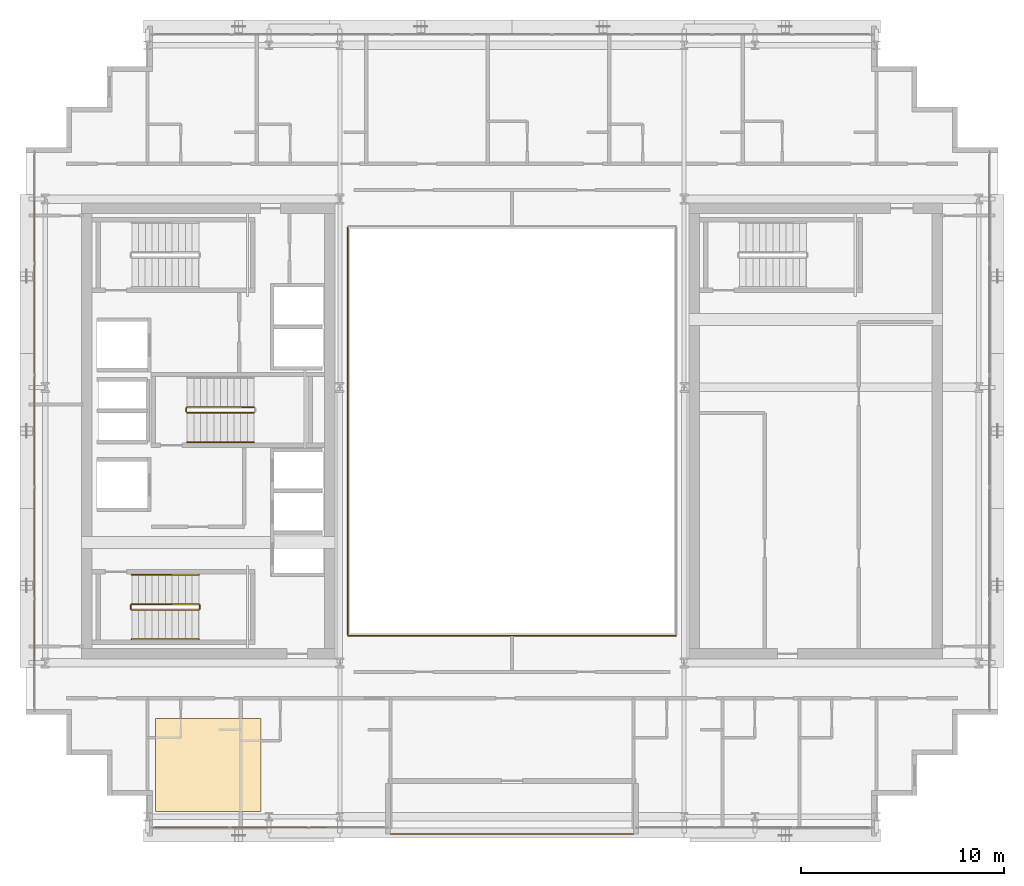
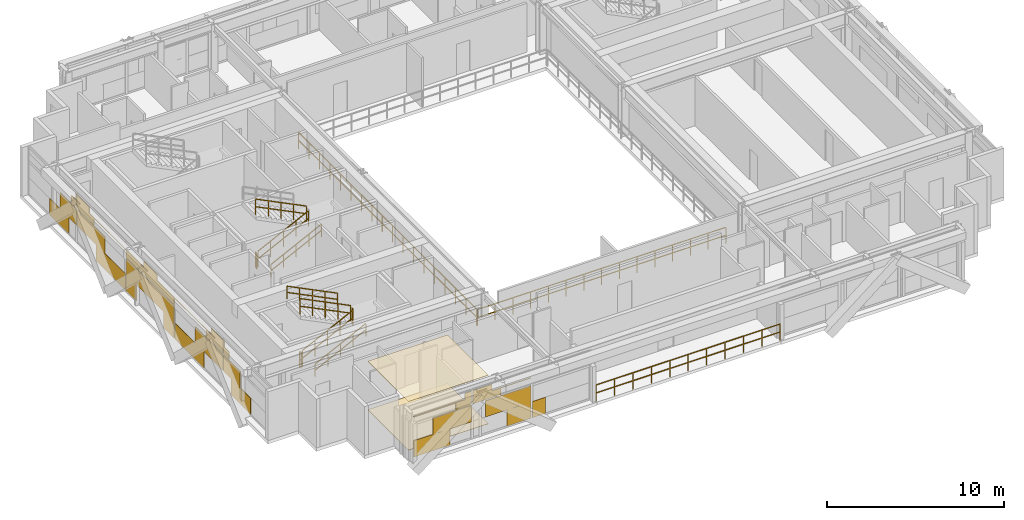
# One storey, part 28 of 31: 13 railings, 4 coverings.
"""IFC4 building model written with IfcOpenShell, lengths in metres."""

from ifc_helpers import new_model, si_unit, direction, frame, origin, origin_2d, place, context, subcontext, project, spatial, polyline, rectangle, outline, extrude, material, layer, layer_set, type_object, element, save


model = new_model("IFC4")

# Units and contexts
model_context = context("Model", 3, precision=1e-05, world=origin(), true_north=direction((0.0, 1.0)))
body_context = subcontext(model_context, "Body", "Model", "MODEL_VIEW")
ifc_project = project(units=[si_unit("LENGTHUNIT", "METRE"), si_unit("AREAUNIT", "SQUARE_METRE"), si_unit("VOLUMEUNIT", "CUBIC_METRE"), si_unit("PLANEANGLEUNIT", "RADIAN"), si_unit("MASSUNIT", "GRAM", prefix="KILO")], contexts=[model_context])

# Site, building, storey
site_placement = place(None, origin())
site = spatial("IfcSite", under=ifc_project, at=site_placement, CompositionType="ELEMENT")
building_placement = place(site_placement, origin())
building = spatial("IfcBuilding", under=site, at=building_placement, Name="Ocotamira Hotel", CompositionType="ELEMENT")
storey_placement = place(building_placement, frame((0.0, 0.0, 202.800048828125)))
storey = spatial("IfcBuildingStorey", under=building, at=storey_placement, Name="L51", CompositionType="ELEMENT", Elevation=202.800048828125)

# Coverings
ifc_material_1 = material(Name="Perforated acoustic gypsum ceiling board", Category="gypsum")
ifc_layer_1 = layer(ifc_material_1, 0.02490234375)
ifc_layer_set_1 = layer_set([ifc_layer_1], Name="Perforated acoustic gypsum ceiling board")
covering_type_1 = type_object("IfcCoveringType", Name="COV-CEIL-25", PredefinedType="CEILING", material=ifc_layer_set_1)
covering_1_placement = place(storey_placement, frame((0.0, 0.0, 3.344970703125)))
element("IfcCovering", 1, at=covering_1_placement, inside=storey, type_object=covering_type_1, Name="L51 Acoustic Ceiling", PredefinedType="CEILING", context=body_context, shape_type="SweptSolid", body=[
    extrude(outline(polyline([(14.39990234375, 7.199951171875), (19.60009765625, 7.199951171875), (19.60009765625, 11.800048828125), (14.39990234375, 11.800048828125), (14.39990234375, 7.199951171875)])), origin(), (0.0, 0.0, 1.0), 0.02490234375),
])
ifc_material_2 = material(Name="Honed desert travertine stone flooring", Category="masonry")
ifc_layer_2 = layer(ifc_material_2, 0.030029296875)
ifc_layer_set_2 = layer_set([ifc_layer_2], Name="Honed desert travertine stone flooring")
covering_type_2 = type_object("IfcCoveringType", Name="COV-FLOR-30", PredefinedType="FLOORING", material=ifc_layer_set_2)
covering_2_placement = place(storey_placement, origin())
element("IfcCovering", 2, at=covering_2_placement, inside=storey, type_object=covering_type_2, Name="L51 Honed Stone Floor Finish", PredefinedType="FLOORING", context=body_context, shape_type="SweptSolid", body=[
    extrude(outline(polyline([(14.39990234375, 7.199951171875), (19.60009765625, 7.199951171875), (19.60009765625, 11.800048828125), (14.39990234375, 11.800048828125), (14.39990234375, 7.199951171875)])), origin(), (0.0, 0.0, 1.0), 0.030029296875),
])
ifc_material_3 = material(Name="Insulated pale-metal aluminium spandrel panel", Category="aluminium")
ifc_layer_3 = layer(ifc_material_3, 0.044921875)
ifc_layer_set_3 = layer_set([ifc_layer_3], Name="Insulated pale-metal aluminium spandrel panel")
covering_type_3 = type_object("IfcCoveringType", Name="COV-INFILL-45", PredefinedType="CLADDING", material=ifc_layer_set_3)
covering_3_placement = place(storey_placement, origin())
element("IfcCovering", 3, at=covering_3_placement, inside=storey, type_object=covering_type_3, Name="L51 Curtain Wall Infill CW-4 CW-L51-S1", PredefinedType="CLADDING", context=body_context, shape_type="SweptSolid", body=[
    extrude(rectangle(XDim=2.37158203125, YDim=0.044921875, at=origin_2d()), frame((15.46630859375, 6.419921875, 0.0751953125), z_axis=(0.0, 0.0, 1.0), x_axis=(1.0, 0.0, 0.0)), (0.0, 0.0, 1.0), 1.117919921875),
    extrude(rectangle(XDim=2.510498046875, YDim=0.044921875, at=origin_2d()), frame((16.78759765625, 6.419921875, 1.19384765625), z_axis=(0.0, 0.0, 1.0), x_axis=(1.0, 0.0, 0.0)), (0.0, 0.0, 1.0), 1.117919921875),
    extrude(rectangle(XDim=3.76220703125, YDim=0.044921875, at=origin_2d()), frame((16.16162109375, 6.419921875, 2.83154296875), z_axis=(0.0, 0.0, 1.0), x_axis=(1.0, 0.0, 0.0)), (0.0, 0.0, 1.0), 0.0302734375),
    extrude(rectangle(XDim=1.018310546875, YDim=0.044921875, at=origin_2d()), frame((17.53369140625, 6.419921875, 2.3876953125), z_axis=(0.0, 0.0, 1.0), x_axis=(1.0, 0.0, 0.0)), (0.0, 0.0, 1.0), 0.442626953125),
    extrude(rectangle(XDim=0.4248046875, YDim=0.044921875, at=origin_2d()), frame((17.83056640625, 6.419921875, 2.86279296875), z_axis=(0.0, 0.0, 1.0), x_axis=(1.0, 0.0, 0.0)), (0.0, 0.0, 1.0), 0.431640625),
    extrude(rectangle(XDim=2.9765625, YDim=0.044921875, at=origin_2d()), frame((20.43798828125, 6.419921875, 1.19384765625), z_axis=(0.0, 0.0, 1.0), x_axis=(1.0, 0.0, 0.0)), (0.0, 0.0, 1.0), 1.117919921875),
    extrude(rectangle(XDim=1.578125, YDim=0.044921875, at=origin_2d()), frame((21.13720703125, 6.419921875, 0.0751953125), z_axis=(0.0, 0.0, 1.0), x_axis=(1.0, 0.0, 0.0)), (0.0, 0.0, 1.0), 1.117919921875),
    extrude(rectangle(XDim=1.8515625, YDim=0.044921875, at=origin_2d()), frame((19.049560546875, 6.419921875, 2.3876953125), z_axis=(0.0, 0.0, 1.0), x_axis=(1.0, 0.0, 0.0)), (0.0, 0.0, 1.0), 0.442626953125),
    extrude(rectangle(XDim=3.80224609375, YDim=0.044921875, at=origin_2d()), frame((20.02490234375, 6.419921875, 2.83154296875), z_axis=(0.0, 0.0, 1.0), x_axis=(1.0, 0.0, 0.0)), (0.0, 0.0, 1.0), 0.0302734375),
    extrude(rectangle(XDim=1.258056640625, YDim=0.044921875, at=origin_2d()), frame((18.7529296875, 6.419921875, 2.86279296875), z_axis=(0.0, 0.0, 1.0), x_axis=(1.0, 0.0, 0.0)), (0.0, 0.0, 1.0), 0.431640625),
    extrude(rectangle(XDim=0.85888671875, YDim=0.044921875, at=origin_2d()), frame((22.4365234375, 6.419921875, 0.0751953125), z_axis=(0.0, 0.0, 1.0), x_axis=(1.0, 0.0, 0.0)), (0.0, 0.0, 1.0), 1.117919921875),
])
covering_4_placement = place(storey_placement, origin())
element("IfcCovering", 4, at=covering_4_placement, inside=storey, type_object=covering_type_3, Name="L51 Curtain Wall Infill CW-4 CW-L51-W", PredefinedType="CLADDING", context=body_context, shape_type="SweptSolid", body=[
    extrude(rectangle(XDim=2.205078125, YDim=0.044921875, at=origin_2d()), frame((8.419921875, 15.7314453125, 0.0751953125), z_axis=(0.0, 0.0, 1.0), x_axis=(0.0, 1.0, 0.0)), (0.0, 0.0, 1.0), 1.117919921875),
    extrude(rectangle(XDim=1.864501953125, YDim=0.044921875, at=origin_2d()), frame((8.419921875, 16.747314453125, 1.19384765625), z_axis=(0.0, 0.0, 1.0), x_axis=(0.0, 1.0, 0.0)), (0.0, 0.0, 1.0), 1.117919921875),
    extrude(rectangle(XDim=0.59912109375, YDim=0.044921875, at=origin_2d()), frame((8.419921875, 17.3798828125, 2.38818359375), z_axis=(0.0, 0.0, 1.0), x_axis=(0.0, 1.0, 0.0)), (0.0, 0.0, 1.0), 0.493896484375),
    extrude(rectangle(XDim=0.07421875, YDim=0.044921875, at=origin_2d()), frame((8.419921875, 17.642333984375, 2.883056640625), z_axis=(0.0, 0.0, 1.0), x_axis=(0.0, 1.0, 0.0)), (0.0, 0.0, 1.0), 0.41162109375),
    extrude(rectangle(XDim=3.157958984375, YDim=0.044921875, at=origin_2d()), frame((8.419921875, 19.33935546875, 1.19384765625), z_axis=(0.0, 0.0, 1.0), x_axis=(0.0, 1.0, 0.0)), (0.0, 0.0, 1.0), 1.117919921875),
    extrude(rectangle(XDim=3.30029296875, YDim=0.044921875, at=origin_2d()), frame((8.419921875, 21.54931640625, 0.0751953125), z_axis=(0.0, 0.0, 1.0), x_axis=(0.0, 1.0, 0.0)), (0.0, 0.0, 1.0), 1.117919921875),
    extrude(rectangle(XDim=1.892333984375, YDim=0.044921875, at=origin_2d()), frame((8.419921875, 18.70654296875, 2.38818359375), z_axis=(0.0, 0.0, 1.0), x_axis=(0.0, 1.0, 0.0)), (0.0, 0.0, 1.0), 0.459716796875),
    extrude(rectangle(XDim=5.43896484375, YDim=0.044921875, at=origin_2d()), frame((8.419921875, 20.47998046875, 2.8486328125), z_axis=(0.0, 0.0, 1.0), x_axis=(0.0, 1.0, 0.0)), (0.0, 0.0, 1.0), 0.033203125),
    extrude(rectangle(XDim=1.367431640625, YDim=0.044921875, at=origin_2d()), frame((8.419921875, 18.444091796875, 2.883056640625), z_axis=(0.0, 0.0, 1.0), x_axis=(0.0, 1.0, 0.0)), (0.0, 0.0, 1.0), 0.41162109375),
    extrude(rectangle(XDim=1.18701171875, YDim=0.044921875, at=origin_2d()), frame((8.419921875, 23.873779296875, 0.0751953125), z_axis=(0.0, 0.0, 1.0), x_axis=(0.0, 1.0, 0.0)), (0.0, 0.0, 1.0), 1.117919921875),
    extrude(rectangle(XDim=5.43896484375, YDim=0.044921875, at=origin_2d()), frame((8.419921875, 26.0, 1.19384765625), z_axis=(0.0, 0.0, 1.0), x_axis=(0.0, 1.0, 0.0)), (0.0, 0.0, 1.0), 1.117919921875),
    extrude(rectangle(XDim=1.18701171875, YDim=0.044921875, at=origin_2d()), frame((8.419921875, 28.126220703125, 0.0751953125), z_axis=(0.0, 0.0, 1.0), x_axis=(0.0, 1.0, 0.0)), (0.0, 0.0, 1.0), 1.117919921875),
    extrude(rectangle(XDim=5.43896484375, YDim=0.044921875, at=origin_2d()), frame((8.419921875, 26.0, 2.38818359375), z_axis=(0.0, 0.0, 1.0), x_axis=(0.0, 1.0, 0.0)), (0.0, 0.0, 1.0), 0.493896484375),
    extrude(rectangle(XDim=1.522705078125, YDim=0.044921875, at=origin_2d()), frame((8.419921875, 26.0, 2.883056640625), z_axis=(0.0, 0.0, 1.0), x_axis=(0.0, 1.0, 0.0)), (0.0, 0.0, 1.0), 0.41162109375),
    extrude(rectangle(XDim=3.30029296875, YDim=0.044921875, at=origin_2d()), frame((8.419921875, 30.45068359375, 0.0751953125), z_axis=(0.0, 0.0, 1.0), x_axis=(0.0, 1.0, 0.0)), (0.0, 0.0, 1.0), 1.117919921875),
    extrude(rectangle(XDim=3.157958984375, YDim=0.044921875, at=origin_2d()), frame((8.419921875, 32.66064453125, 1.19384765625), z_axis=(0.0, 0.0, 1.0), x_axis=(0.0, 1.0, 0.0)), (0.0, 0.0, 1.0), 1.117919921875),
    extrude(rectangle(XDim=5.43896484375, YDim=0.044921875, at=origin_2d()), frame((8.419921875, 31.52001953125, 2.8486328125), z_axis=(0.0, 0.0, 1.0), x_axis=(0.0, 1.0, 0.0)), (0.0, 0.0, 1.0), 0.033203125),
    extrude(rectangle(XDim=1.892333984375, YDim=0.044921875, at=origin_2d()), frame((8.419921875, 33.29345703125, 2.38818359375), z_axis=(0.0, 0.0, 1.0), x_axis=(0.0, 1.0, 0.0)), (0.0, 0.0, 1.0), 0.459716796875),
    extrude(rectangle(XDim=1.367431640625, YDim=0.044921875, at=origin_2d()), frame((8.419921875, 33.555908203125, 2.883056640625), z_axis=(0.0, 0.0, 1.0), x_axis=(0.0, 1.0, 0.0)), (0.0, 0.0, 1.0), 0.41162109375),
    extrude(rectangle(XDim=1.864501953125, YDim=0.044921875, at=origin_2d()), frame((8.419921875, 35.252685546875, 1.19384765625), z_axis=(0.0, 0.0, 1.0), x_axis=(0.0, 1.0, 0.0)), (0.0, 0.0, 1.0), 1.117919921875),
    extrude(rectangle(XDim=2.205078125, YDim=0.044921875, at=origin_2d()), frame((8.419921875, 36.2685546875, 0.0751953125), z_axis=(0.0, 0.0, 1.0), x_axis=(0.0, 1.0, 0.0)), (0.0, 0.0, 1.0), 1.117919921875),
    extrude(rectangle(XDim=0.59912109375, YDim=0.044921875, at=origin_2d()), frame((8.419921875, 34.6201171875, 2.38818359375), z_axis=(0.0, 0.0, 1.0), x_axis=(0.0, 1.0, 0.0)), (0.0, 0.0, 1.0), 0.493896484375),
    extrude(rectangle(XDim=0.07421875, YDim=0.044921875, at=origin_2d()), frame((8.419921875, 34.357666015625, 2.883056640625), z_axis=(0.0, 0.0, 1.0), x_axis=(0.0, 1.0, 0.0)), (0.0, 0.0, 1.0), 0.41162109375),
])

# Railings
ifc_material_4 = material(Name="Laminated glass and pale-metal balustrade", Category="glass")
railing_type_1 = type_object("IfcRailingType", Name="RL-BAL-1150", PredefinedType="BALUSTRADE", material=ifc_material_4)
railing_1_placement = place(storey_placement, frame((26.0, 6.10009765625, 0.0)))
element("IfcRailing", 5, at=railing_1_placement, inside=storey, type_object=railing_type_1, Name="L51 Sky Terrace Balustrade 1", PredefinedType="BALUSTRADE", context=body_context, shape_type="SweptSolid", body=[
    extrude(rectangle(XDim=0.048095703125, YDim=0.048095703125, at=origin_2d()), frame((0.0, 0.0, 1.1259765625), z_axis=(1.0, 0.0, 0.0), x_axis=(0.0, 1.0, 0.0)), (0.0, 0.0, 1.0), 12.0),
    extrude(rectangle(XDim=0.048095703125, YDim=0.048095703125, at=origin_2d()), frame((0.0, 0.0, 0.574951171875), z_axis=(1.0, 0.0, 0.0), x_axis=(0.0, 1.0, 0.0)), (0.0, 0.0, 1.0), 12.0),
    extrude(rectangle(XDim=0.0419921875, YDim=0.0419921875, at=origin_2d()), origin(), (0.0, 0.0, 1.0), 1.101806640625),
    extrude(rectangle(XDim=0.0419921875, YDim=0.0419921875, at=origin_2d()), frame((1.199951171875, 0.0, 0.0)), (0.0, 0.0, 1.0), 1.101806640625),
    extrude(rectangle(XDim=0.0419921875, YDim=0.0419921875, at=origin_2d()), frame((2.39990234375, 0.0, 0.0)), (0.0, 0.0, 1.0), 1.101806640625),
    extrude(rectangle(XDim=0.0419921875, YDim=0.0419921875, at=origin_2d()), frame((3.60009765625, 0.0, 0.0)), (0.0, 0.0, 1.0), 1.101806640625),
    extrude(rectangle(XDim=0.0419921875, YDim=0.0419921875, at=origin_2d()), frame((4.800048828125, 0.0, 0.0)), (0.0, 0.0, 1.0), 1.101806640625),
    extrude(rectangle(XDim=0.0419921875, YDim=0.0419921875, at=origin_2d()), frame((6.0, 0.0, 0.0)), (0.0, 0.0, 1.0), 1.101806640625),
    extrude(rectangle(XDim=0.0419921875, YDim=0.0419921875, at=origin_2d()), frame((7.199951171875, 0.0, 0.0)), (0.0, 0.0, 1.0), 1.101806640625),
    extrude(rectangle(XDim=0.0419921875, YDim=0.0419921875, at=origin_2d()), frame((8.39990234375, 0.0, 0.0)), (0.0, 0.0, 1.0), 1.101806640625),
    extrude(rectangle(XDim=0.0419921875, YDim=0.0419921875, at=origin_2d()), frame((9.60009765625, 0.0, 0.0)), (0.0, 0.0, 1.0), 1.101806640625),
    extrude(rectangle(XDim=0.0419921875, YDim=0.0419921875, at=origin_2d()), frame((10.800048828125, 0.0, 0.0)), (0.0, 0.0, 1.0), 1.101806640625),
    extrude(rectangle(XDim=0.0419921875, YDim=0.0419921875, at=origin_2d()), frame((12.0, 0.0, 0.0)), (0.0, 0.0, 1.0), 1.101806640625),
])
ifc_material_5 = material(Name="Painted steel stair guardrail", Category="steel")
railing_type_2 = type_object("IfcRailingType", Name="RL-EDGE-1150", PredefinedType="GUARDRAIL", material=ifc_material_5)
railing_2_placement = place(storey_placement, frame((23.89990234375, 15.8798828125, 0.0)))
element("IfcRailing", 6, at=railing_2_placement, inside=storey, type_object=railing_type_2, Name="L51 Central Atrium Edge Guardrail S", PredefinedType="GUARDRAIL", context=body_context, shape_type="SweptSolid", body=[
    extrude(rectangle(XDim=0.048095703125, YDim=0.048095703125, at=origin_2d()), frame((0.0, 0.0, 1.1259765625), z_axis=(1.0, 0.0, 0.0), x_axis=(0.0, 1.0, 0.0)), (0.0, 0.0, 1.0), 16.2001953125),
    extrude(rectangle(XDim=0.048095703125, YDim=0.048095703125, at=origin_2d()), frame((0.0, 0.0, 0.574951171875), z_axis=(1.0, 0.0, 0.0), x_axis=(0.0, 1.0, 0.0)), (0.0, 0.0, 1.0), 16.2001953125),
    extrude(rectangle(XDim=0.0419921875, YDim=0.0419921875, at=origin_2d()), origin(), (0.0, 0.0, 1.0), 1.101806640625),
    extrude(rectangle(XDim=0.0419921875, YDim=0.0419921875, at=origin_2d()), frame((1.1572265625, 0.0, 0.0)), (0.0, 0.0, 1.0), 1.101806640625),
    extrude(rectangle(XDim=0.0419921875, YDim=0.0419921875, at=origin_2d()), frame((2.314208984375, 0.0, 0.0)), (0.0, 0.0, 1.0), 1.101806640625),
    extrude(rectangle(XDim=0.0419921875, YDim=0.0419921875, at=origin_2d()), frame((3.471435546875, 0.0, 0.0)), (0.0, 0.0, 1.0), 1.101806640625),
    extrude(rectangle(XDim=0.0419921875, YDim=0.0419921875, at=origin_2d()), frame((4.628662109375, 0.0, 0.0)), (0.0, 0.0, 1.0), 1.101806640625),
    extrude(rectangle(XDim=0.0419921875, YDim=0.0419921875, at=origin_2d()), frame((5.785888671875, 0.0, 0.0)), (0.0, 0.0, 1.0), 1.101806640625),
    extrude(rectangle(XDim=0.0419921875, YDim=0.0419921875, at=origin_2d()), frame((6.94287109375, 0.0, 0.0)), (0.0, 0.0, 1.0), 1.101806640625),
    extrude(rectangle(XDim=0.0419921875, YDim=0.0419921875, at=origin_2d()), frame((8.10009765625, 0.0, 0.0)), (0.0, 0.0, 1.0), 1.101806640625),
    extrude(rectangle(XDim=0.0419921875, YDim=0.0419921875, at=origin_2d()), frame((9.25732421875, 0.0, 0.0)), (0.0, 0.0, 1.0), 1.101806640625),
    extrude(rectangle(XDim=0.0419921875, YDim=0.0419921875, at=origin_2d()), frame((10.414306640625, 0.0, 0.0)), (0.0, 0.0, 1.0), 1.101806640625),
    extrude(rectangle(XDim=0.0419921875, YDim=0.0419921875, at=origin_2d()), frame((11.571533203125, 0.0, 0.0)), (0.0, 0.0, 1.0), 1.101806640625),
    extrude(rectangle(XDim=0.0419921875, YDim=0.0419921875, at=origin_2d()), frame((12.728759765625, 0.0, 0.0)), (0.0, 0.0, 1.0), 1.101806640625),
    extrude(rectangle(XDim=0.0419921875, YDim=0.0419921875, at=origin_2d()), frame((13.885986328125, 0.0, 0.0)), (0.0, 0.0, 1.0), 1.101806640625),
    extrude(rectangle(XDim=0.0419921875, YDim=0.0419921875, at=origin_2d()), frame((15.04296875, 0.0, 0.0)), (0.0, 0.0, 1.0), 1.101806640625),
    extrude(rectangle(XDim=0.0419921875, YDim=0.0419921875, at=origin_2d()), frame((16.2001953125, 0.0, 0.0)), (0.0, 0.0, 1.0), 1.101806640625),
])
railing_3_placement = place(storey_placement, frame((23.8798828125, 36.0400390625, 0.0)))
element("IfcRailing", 7, at=railing_3_placement, inside=storey, type_object=railing_type_2, Name="L51 Central Atrium Edge Guardrail W", PredefinedType="GUARDRAIL", context=body_context, shape_type="SweptSolid", body=[
    extrude(rectangle(XDim=0.048095703125, YDim=0.048095703125, at=origin_2d()), frame((0.0, 0.0, 1.1259765625), z_axis=(0.0, -1.0, 0.0), x_axis=(1.0, 0.0, 0.0)), (0.0, 0.0, 1.0), 20.080078125),
    extrude(rectangle(XDim=0.048095703125, YDim=0.048095703125, at=origin_2d()), frame((0.0, 0.0, 0.574951171875), z_axis=(0.0, -1.0, 0.0), x_axis=(1.0, 0.0, 0.0)), (0.0, 0.0, 1.0), 20.080078125),
    extrude(rectangle(XDim=0.0419921875, YDim=0.0419921875, at=origin_2d()), origin(), (0.0, 0.0, 1.0), 1.101806640625),
    extrude(rectangle(XDim=0.0419921875, YDim=0.0419921875, at=origin_2d()), frame((0.0, -1.18115234375, 0.0)), (0.0, 0.0, 1.0), 1.101806640625),
    extrude(rectangle(XDim=0.0419921875, YDim=0.0419921875, at=origin_2d()), frame((0.0, -2.3623046875, 0.0)), (0.0, 0.0, 1.0), 1.101806640625),
    extrude(rectangle(XDim=0.0419921875, YDim=0.0419921875, at=origin_2d()), frame((0.0, -3.54345703125, 0.0)), (0.0, 0.0, 1.0), 1.101806640625),
    extrude(rectangle(XDim=0.0419921875, YDim=0.0419921875, at=origin_2d()), frame((0.0, -4.724609375, 0.0)), (0.0, 0.0, 1.0), 1.101806640625),
    extrude(rectangle(XDim=0.0419921875, YDim=0.0419921875, at=origin_2d()), frame((0.0, -5.906005859375, 0.0)), (0.0, 0.0, 1.0), 1.101806640625),
    extrude(rectangle(XDim=0.0419921875, YDim=0.0419921875, at=origin_2d()), frame((0.0, -7.087158203125, 0.0)), (0.0, 0.0, 1.0), 1.101806640625),
    extrude(rectangle(XDim=0.0419921875, YDim=0.0419921875, at=origin_2d()), frame((0.0, -8.268310546875, 0.0)), (0.0, 0.0, 1.0), 1.101806640625),
    extrude(rectangle(XDim=0.0419921875, YDim=0.0419921875, at=origin_2d()), frame((0.0, -9.449462890625, 0.0)), (0.0, 0.0, 1.0), 1.101806640625),
    extrude(rectangle(XDim=0.0419921875, YDim=0.0419921875, at=origin_2d()), frame((0.0, -10.630615234375, 0.0)), (0.0, 0.0, 1.0), 1.101806640625),
    extrude(rectangle(XDim=0.0419921875, YDim=0.0419921875, at=origin_2d()), frame((0.0, -11.811767578125, 0.0)), (0.0, 0.0, 1.0), 1.101806640625),
    extrude(rectangle(XDim=0.0419921875, YDim=0.0419921875, at=origin_2d()), frame((0.0, -12.992919921875, 0.0)), (0.0, 0.0, 1.0), 1.101806640625),
    extrude(rectangle(XDim=0.0419921875, YDim=0.0419921875, at=origin_2d()), frame((0.0, -14.174072265625, 0.0)), (0.0, 0.0, 1.0), 1.101806640625),
    extrude(rectangle(XDim=0.0419921875, YDim=0.0419921875, at=origin_2d()), frame((0.0, -15.35546875, 0.0)), (0.0, 0.0, 1.0), 1.101806640625),
    extrude(rectangle(XDim=0.0419921875, YDim=0.0419921875, at=origin_2d()), frame((0.0, -16.53662109375, 0.0)), (0.0, 0.0, 1.0), 1.101806640625),
    extrude(rectangle(XDim=0.0419921875, YDim=0.0419921875, at=origin_2d()), frame((0.0, -17.7177734375, 0.0)), (0.0, 0.0, 1.0), 1.101806640625),
    extrude(rectangle(XDim=0.0419921875, YDim=0.0419921875, at=origin_2d()), frame((0.0, -18.89892578125, 0.0)), (0.0, 0.0, 1.0), 1.101806640625),
    extrude(rectangle(XDim=0.0419921875, YDim=0.0419921875, at=origin_2d()), frame((0.0, -20.080078125, 0.0)), (0.0, 0.0, 1.0), 1.101806640625),
])
ifc_material_6 = material(Name="Brushed stainless steel handrail", Category="steel")
railing_type_3 = type_object("IfcRailingType", Name="RL-HAND-900", PredefinedType="HANDRAIL", material=ifc_material_6)
railing_4_placement = place(storey_placement, frame((13.22998046875, 15.719970703125, 0.3271484375)))
element("IfcRailing", 8, at=railing_4_placement, inside=storey, type_object=railing_type_3, Name="L51 ST-1 stair handrail 1", PredefinedType="HANDRAIL", context=body_context, shape_type="SweptSolid", body=[
    extrude(rectangle(XDim=0.048095703125, YDim=0.048095703125, at=origin_2d()), frame((0.0, 0.0, 0.8759765625), z_axis=(0.895893744519, 0.0, 0.4442683857), x_axis=(0.0, 1.0, 0.0)), (0.0, 0.0, 1.0), 3.68359375),
    extrude(rectangle(XDim=0.048095703125, YDim=0.048095703125, at=origin_2d()), frame((0.0, 0.0, 0.449951171875), z_axis=(0.895893744519, 0.0, 0.4442683857), x_axis=(0.0, 1.0, 0.0)), (0.0, 0.0, 1.0), 3.68359375),
    extrude(rectangle(XDim=0.0419921875, YDim=0.0419921875, at=origin_2d()), origin(), (0.0, 0.0, 1.0), 0.851806640625),
    extrude(rectangle(XDim=0.0419921875, YDim=0.0419921875, at=origin_2d()), frame((0.824951171875, 0.0, 0.4091796875)), (0.0, 0.0, 1.0), 0.851806640625),
    extrude(rectangle(XDim=0.0419921875, YDim=0.0419921875, at=origin_2d()), frame((1.64990234375, 0.0, 0.818359375)), (0.0, 0.0, 1.0), 0.851806640625),
    extrude(rectangle(XDim=0.0419921875, YDim=0.0419921875, at=origin_2d()), frame((2.47509765625, 0.0, 1.227294921875)), (0.0, 0.0, 1.0), 0.851806640625),
    extrude(rectangle(XDim=0.0419921875, YDim=0.0419921875, at=origin_2d()), frame((3.300048828125, 0.0, 1.636474609375)), (0.0, 0.0, 1.0), 0.851806640625),
])
railing_5_placement = place(storey_placement, frame((16.530029296875, 18.89990234375, 2.127197265625)))
element("IfcRailing", 9, at=railing_5_placement, inside=storey, type_object=railing_type_3, Name="L51 ST-1 stair handrail 2", PredefinedType="HANDRAIL", context=body_context, shape_type="SweptSolid", body=[
    extrude(rectangle(XDim=0.048095703125, YDim=0.048095703125, at=origin_2d()), frame((0.0, 0.0, 0.8759765625), z_axis=(-0.895893744519, 0.0, 0.4442683857), x_axis=(0.0, -1.0, 0.0)), (0.0, 0.0, 1.0), 3.68359375),
    extrude(rectangle(XDim=0.048095703125, YDim=0.048095703125, at=origin_2d()), frame((0.0, 0.0, 0.449951171875), z_axis=(-0.895893744519, 0.0, 0.4442683857), x_axis=(0.0, -1.0, 0.0)), (0.0, 0.0, 1.0), 3.68359375),
    extrude(rectangle(XDim=0.0419921875, YDim=0.0419921875, at=origin_2d()), origin(), (0.0, 0.0, 1.0), 0.851806640625),
    extrude(rectangle(XDim=0.0419921875, YDim=0.0419921875, at=origin_2d()), frame((-0.824951171875, 0.0, 0.4091796875)), (0.0, 0.0, 1.0), 0.851806640625),
    extrude(rectangle(XDim=0.0419921875, YDim=0.0419921875, at=origin_2d()), frame((-1.64990234375, 0.0, 0.818359375)), (0.0, 0.0, 1.0), 0.851806640625),
    extrude(rectangle(XDim=0.0419921875, YDim=0.0419921875, at=origin_2d()), frame((-2.47509765625, 0.0, 1.227294921875)), (0.0, 0.0, 1.0), 0.851806640625),
    extrude(rectangle(XDim=0.0419921875, YDim=0.0419921875, at=origin_2d()), frame((-3.300048828125, 0.0, 1.636474609375)), (0.0, 0.0, 1.0), 0.851806640625),
])
railing_6_placement = place(storey_placement, frame((15.9599609375, 25.449951171875, 0.3271484375)))
element("IfcRailing", 10, at=railing_6_placement, inside=storey, type_object=railing_type_3, Name="L51 ST-3 stair handrail 1", PredefinedType="HANDRAIL", context=body_context, shape_type="SweptSolid", body=[
    extrude(rectangle(XDim=0.048095703125, YDim=0.048095703125, at=origin_2d()), frame((0.0, 0.0, 0.8759765625), z_axis=(0.895893744519, 0.0, 0.4442683857), x_axis=(0.0, 1.0, 0.0)), (0.0, 0.0, 1.0), 3.68359375),
    extrude(rectangle(XDim=0.048095703125, YDim=0.048095703125, at=origin_2d()), frame((0.0, 0.0, 0.449951171875), z_axis=(0.895893744519, 0.0, 0.4442683857), x_axis=(0.0, 1.0, 0.0)), (0.0, 0.0, 1.0), 3.68359375),
    extrude(rectangle(XDim=0.0419921875, YDim=0.0419921875, at=origin_2d()), origin(), (0.0, 0.0, 1.0), 0.851806640625),
    extrude(rectangle(XDim=0.0419921875, YDim=0.0419921875, at=origin_2d()), frame((0.824951171875, 0.0, 0.4091796875)), (0.0, 0.0, 1.0), 0.851806640625),
    extrude(rectangle(XDim=0.0419921875, YDim=0.0419921875, at=origin_2d()), frame((1.64990234375, 0.0, 0.818359375)), (0.0, 0.0, 1.0), 0.851806640625),
    extrude(rectangle(XDim=0.0419921875, YDim=0.0419921875, at=origin_2d()), frame((2.47509765625, 0.0, 1.227294921875)), (0.0, 0.0, 1.0), 0.851806640625),
    extrude(rectangle(XDim=0.0419921875, YDim=0.0419921875, at=origin_2d()), frame((3.300048828125, 0.0, 1.636474609375)), (0.0, 0.0, 1.0), 0.851806640625),
])
railing_type_4 = type_object("IfcRailingType", Name="RL-STAIR-1100", PredefinedType="GUARDRAIL", material=ifc_material_5)
railing_7_placement = place(storey_placement, frame((13.22998046875, 17.179931640625, 0.16357421875)))
element("IfcRailing", 11, at=railing_7_placement, inside=storey, type_object=railing_type_4, Name="L51 ST-1 stair guard 1", PredefinedType="GUARDRAIL", context=body_context, shape_type="SweptSolid", body=[
    extrude(rectangle(XDim=0.048095703125, YDim=0.048095703125, at=origin_2d()), frame((0.0, 0.0, 1.076171875), z_axis=(0.895893744519, 0.0, 0.4442683857), x_axis=(0.0, 1.0, 0.0)), (0.0, 0.0, 1.0), 3.68359375),
    extrude(rectangle(XDim=0.048095703125, YDim=0.048095703125, at=origin_2d()), frame((0.0, 0.0, 0.550048828125), z_axis=(0.895893744519, 0.0, 0.4442683857), x_axis=(0.0, 1.0, 0.0)), (0.0, 0.0, 1.0), 3.68359375),
    extrude(rectangle(XDim=0.0419921875, YDim=0.0419921875, at=origin_2d()), origin(), (0.0, 0.0, 1.0), 1.052001953125),
    extrude(rectangle(XDim=0.0419921875, YDim=0.0419921875, at=origin_2d()), frame((0.824951171875, 0.0, 0.4091796875)), (0.0, 0.0, 1.0), 1.052001953125),
    extrude(rectangle(XDim=0.0419921875, YDim=0.0419921875, at=origin_2d()), frame((1.64990234375, 0.0, 0.818359375)), (0.0, 0.0, 1.0), 1.052001953125),
    extrude(rectangle(XDim=0.0419921875, YDim=0.0419921875, at=origin_2d()), frame((2.47509765625, 0.0, 1.227294921875)), (0.0, 0.0, 1.0), 1.052001953125),
    extrude(rectangle(XDim=0.0419921875, YDim=0.0419921875, at=origin_2d()), frame((3.300048828125, 0.0, 1.636474609375)), (0.0, 0.0, 1.0), 1.052001953125),
])
railing_8_placement = place(storey_placement, frame((16.580078125, 17.22998046875, 1.800048828125)))
element("IfcRailing", 12, at=railing_8_placement, inside=storey, type_object=railing_type_4, Name="L51 ST-1 stair guard 2", PredefinedType="GUARDRAIL", context=body_context, shape_type="SweptSolid", body=[
    extrude(rectangle(XDim=0.048095703125, YDim=0.048095703125, at=origin_2d()), frame((0.0, 0.0, 1.076171875), z_axis=(0.0, 1.0, 0.0), x_axis=(-1.0, 0.0, 0.0)), (0.0, 0.0, 1.0), 0.159912109375),
    extrude(rectangle(XDim=0.048095703125, YDim=0.048095703125, at=origin_2d()), frame((0.0, 0.0, 0.550048828125), z_axis=(0.0, 1.0, 0.0), x_axis=(-1.0, 0.0, 0.0)), (0.0, 0.0, 1.0), 0.159912109375),
    extrude(rectangle(XDim=0.0419921875, YDim=0.0419921875, at=origin_2d()), origin(), (0.0, 0.0, 1.0), 1.052001953125),
    extrude(rectangle(XDim=0.0419921875, YDim=0.0419921875, at=origin_2d()), frame((0.0, 0.159912109375, 0.0)), (0.0, 0.0, 1.0), 1.052001953125),
])
railing_9_placement = place(storey_placement, frame((16.530029296875, 17.43994140625, 1.963623046875)))
element("IfcRailing", 13, at=railing_9_placement, inside=storey, type_object=railing_type_4, Name="L51 ST-1 stair guard 3", PredefinedType="GUARDRAIL", context=body_context, shape_type="SweptSolid", body=[
    extrude(rectangle(XDim=0.048095703125, YDim=0.048095703125, at=origin_2d()), frame((0.0, 0.0, 1.076171875), z_axis=(-0.895920123917, 0.0, 0.444215186098), x_axis=(0.0, -1.0, 0.0)), (0.0, 0.0, 1.0), 3.683349609375),
    extrude(rectangle(XDim=0.048095703125, YDim=0.048095703125, at=origin_2d()), frame((0.0, 0.0, 0.550048828125), z_axis=(-0.895920123917, 0.0, 0.444215186098), x_axis=(0.0, -1.0, 0.0)), (0.0, 0.0, 1.0), 3.683349609375),
    extrude(rectangle(XDim=0.0419921875, YDim=0.0419921875, at=origin_2d()), origin(), (0.0, 0.0, 1.0), 1.052001953125),
    extrude(rectangle(XDim=0.0419921875, YDim=0.0419921875, at=origin_2d()), frame((-0.824951171875, 0.0, 0.4091796875)), (0.0, 0.0, 1.0), 1.052001953125),
    extrude(rectangle(XDim=0.0419921875, YDim=0.0419921875, at=origin_2d()), frame((-1.64990234375, 0.0, 0.818115234375)), (0.0, 0.0, 1.0), 1.052001953125),
    extrude(rectangle(XDim=0.0419921875, YDim=0.0419921875, at=origin_2d()), frame((-2.47509765625, 0.0, 1.22705078125)), (0.0, 0.0, 1.0), 1.052001953125),
    extrude(rectangle(XDim=0.0419921875, YDim=0.0419921875, at=origin_2d()), frame((-3.300048828125, 0.0, 1.63623046875)), (0.0, 0.0, 1.0), 1.052001953125),
])
railing_10_placement = place(storey_placement, frame((13.179931640625, 17.22998046875, 0.0)))
element("IfcRailing", 14, at=railing_10_placement, inside=storey, type_object=railing_type_4, Name="L51 ST-1 stair guard 4", PredefinedType="GUARDRAIL", context=body_context, shape_type="SweptSolid", body=[
    extrude(rectangle(XDim=0.048095703125, YDim=0.048095703125, at=origin_2d()), frame((0.0, 0.0, 1.076171875), z_axis=(0.0, 1.0, 0.0), x_axis=(-1.0, 0.0, 0.0)), (0.0, 0.0, 1.0), 0.159912109375),
    extrude(rectangle(XDim=0.048095703125, YDim=0.048095703125, at=origin_2d()), frame((0.0, 0.0, 0.550048828125), z_axis=(0.0, 1.0, 0.0), x_axis=(-1.0, 0.0, 0.0)), (0.0, 0.0, 1.0), 0.159912109375),
    extrude(rectangle(XDim=0.0419921875, YDim=0.0419921875, at=origin_2d()), origin(), (0.0, 0.0, 1.0), 1.052001953125),
    extrude(rectangle(XDim=0.0419921875, YDim=0.0419921875, at=origin_2d()), frame((0.0, 0.159912109375, 0.0)), (0.0, 0.0, 1.0), 1.052001953125),
])
railing_11_placement = place(storey_placement, frame((15.9599609375, 26.909912109375, 0.16357421875)))
element("IfcRailing", 15, at=railing_11_placement, inside=storey, type_object=railing_type_4, Name="L51 ST-3 stair guard 1", PredefinedType="GUARDRAIL", context=body_context, shape_type="SweptSolid", body=[
    extrude(rectangle(XDim=0.048095703125, YDim=0.048095703125, at=origin_2d()), frame((0.0, 0.0, 1.076171875), z_axis=(0.895893744519, 0.0, 0.4442683857), x_axis=(0.0, 1.0, 0.0)), (0.0, 0.0, 1.0), 3.68359375),
    extrude(rectangle(XDim=0.048095703125, YDim=0.048095703125, at=origin_2d()), frame((0.0, 0.0, 0.550048828125), z_axis=(0.895893744519, 0.0, 0.4442683857), x_axis=(0.0, 1.0, 0.0)), (0.0, 0.0, 1.0), 3.68359375),
    extrude(rectangle(XDim=0.0419921875, YDim=0.0419921875, at=origin_2d()), origin(), (0.0, 0.0, 1.0), 1.052001953125),
    extrude(rectangle(XDim=0.0419921875, YDim=0.0419921875, at=origin_2d()), frame((0.824951171875, 0.0, 0.4091796875)), (0.0, 0.0, 1.0), 1.052001953125),
    extrude(rectangle(XDim=0.0419921875, YDim=0.0419921875, at=origin_2d()), frame((1.64990234375, 0.0, 0.818359375)), (0.0, 0.0, 1.0), 1.052001953125),
    extrude(rectangle(XDim=0.0419921875, YDim=0.0419921875, at=origin_2d()), frame((2.47509765625, 0.0, 1.227294921875)), (0.0, 0.0, 1.0), 1.052001953125),
    extrude(rectangle(XDim=0.0419921875, YDim=0.0419921875, at=origin_2d()), frame((3.300048828125, 0.0, 1.636474609375)), (0.0, 0.0, 1.0), 1.052001953125),
])
railing_12_placement = place(storey_placement, frame((19.260009765625, 27.169921875, 1.963623046875)))
element("IfcRailing", 16, at=railing_12_placement, inside=storey, type_object=railing_type_4, Name="L51 ST-3 stair guard 3", PredefinedType="GUARDRAIL", context=body_context, shape_type="SweptSolid", body=[
    extrude(rectangle(XDim=0.048095703125, YDim=0.048095703125, at=origin_2d()), frame((0.0, 0.0, 1.076171875), z_axis=(-0.895920123917, 0.0, 0.444215186098), x_axis=(0.0, -1.0, 0.0)), (0.0, 0.0, 1.0), 3.683349609375),
    extrude(rectangle(XDim=0.048095703125, YDim=0.048095703125, at=origin_2d()), frame((0.0, 0.0, 0.550048828125), z_axis=(-0.895920123917, 0.0, 0.444215186098), x_axis=(0.0, -1.0, 0.0)), (0.0, 0.0, 1.0), 3.683349609375),
    extrude(rectangle(XDim=0.0419921875, YDim=0.0419921875, at=origin_2d()), origin(), (0.0, 0.0, 1.0), 1.052001953125),
    extrude(rectangle(XDim=0.0419921875, YDim=0.0419921875, at=origin_2d()), frame((-0.824951171875, 0.0, 0.4091796875)), (0.0, 0.0, 1.0), 1.052001953125),
    extrude(rectangle(XDim=0.0419921875, YDim=0.0419921875, at=origin_2d()), frame((-1.64990234375, 0.0, 0.818115234375)), (0.0, 0.0, 1.0), 1.052001953125),
    extrude(rectangle(XDim=0.0419921875, YDim=0.0419921875, at=origin_2d()), frame((-2.47509765625, 0.0, 1.22705078125)), (0.0, 0.0, 1.0), 1.052001953125),
    extrude(rectangle(XDim=0.0419921875, YDim=0.0419921875, at=origin_2d()), frame((-3.300048828125, 0.0, 1.63623046875)), (0.0, 0.0, 1.0), 1.052001953125),
])
railing_13_placement = place(storey_placement, frame((15.909912109375, 26.9599609375, 0.0)))
element("IfcRailing", 17, at=railing_13_placement, inside=storey, type_object=railing_type_4, Name="L51 ST-3 stair guard 4", PredefinedType="GUARDRAIL", context=body_context, shape_type="SweptSolid", body=[
    extrude(rectangle(XDim=0.048095703125, YDim=0.048095703125, at=origin_2d()), frame((0.0, 0.0, 1.076171875), z_axis=(0.0, 1.0, 0.0), x_axis=(-1.0, 0.0, 0.0)), (0.0, 0.0, 1.0), 0.16015625),
    extrude(rectangle(XDim=0.048095703125, YDim=0.048095703125, at=origin_2d()), frame((0.0, 0.0, 0.550048828125), z_axis=(0.0, 1.0, 0.0), x_axis=(-1.0, 0.0, 0.0)), (0.0, 0.0, 1.0), 0.16015625),
    extrude(rectangle(XDim=0.0419921875, YDim=0.0419921875, at=origin_2d()), origin(), (0.0, 0.0, 1.0), 1.052001953125),
    extrude(rectangle(XDim=0.0419921875, YDim=0.0419921875, at=origin_2d()), frame((0.0, 0.16015625, 0.0)), (0.0, 0.0, 1.0), 1.052001953125),
])

save(model, "model.ifc")
